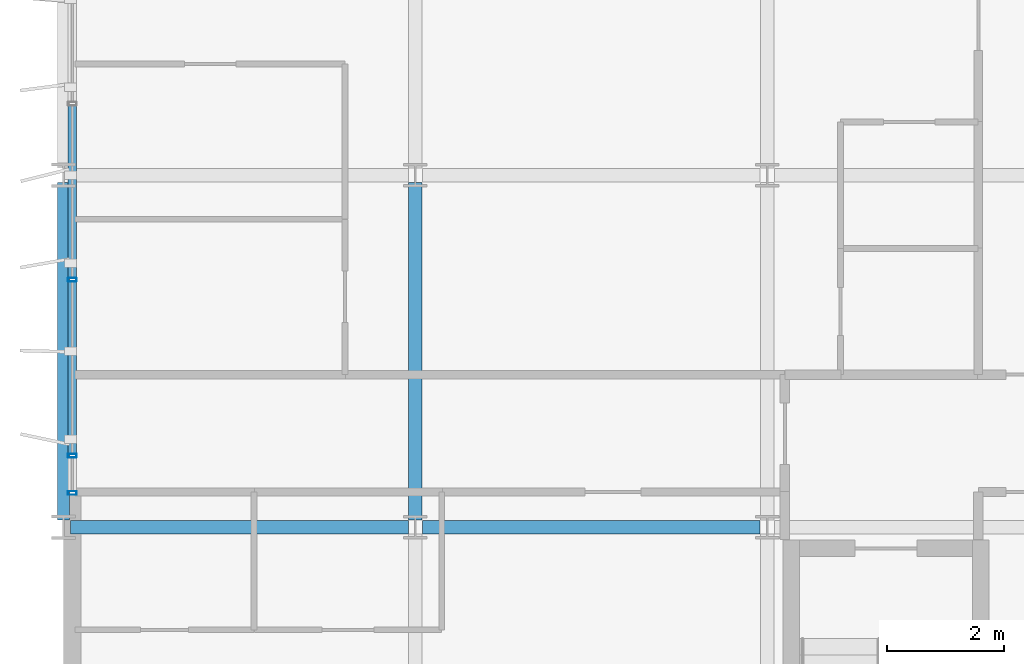
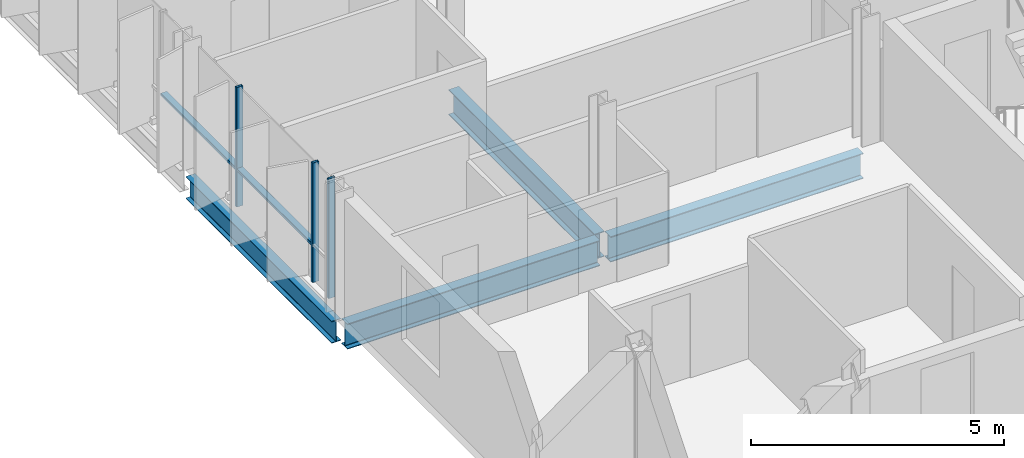
# One storey, part 4 of 38: 5 members, 4 beams, 1 element without a shape of its own.
"""IFC4 building model written with IfcOpenShell, lengths in metres."""

from ifc_helpers import new_model, si_unit, direction, frame, origin, origin_2d, place, context, subcontext, project, spatial, hollow_rectangle, i_section, extrude, material, layer, layer_set, material_profile, profile_set, type_object, element, aggregate, save


model = new_model("IFC4")

# Units and contexts
model_context = context("Model", 3, precision=1e-05, world=origin(), true_north=direction((0.0, 1.0)))
body_context = subcontext(model_context, "Body", "Model", "MODEL_VIEW")
ifc_project = project(units=[si_unit("LENGTHUNIT", "METRE"), si_unit("AREAUNIT", "SQUARE_METRE"), si_unit("VOLUMEUNIT", "CUBIC_METRE"), si_unit("PLANEANGLEUNIT", "RADIAN"), si_unit("MASSUNIT", "GRAM", prefix="KILO")], contexts=[model_context])

# Site, building, storey
site_placement = place(None, origin())
site = spatial("IfcSite", under=ifc_project, at=site_placement, CompositionType="ELEMENT")
building_placement = place(site_placement, origin())
building = spatial("IfcBuilding", under=site, at=building_placement, Name="Brevholm Reach", CompositionType="ELEMENT")
storey_placement = place(building_placement, frame((0.0, 0.0, 141.800048828125)))
storey = spatial("IfcBuildingStorey", under=building, at=storey_placement, Name="L42", CompositionType="ELEMENT", Elevation=141.800048828125)

# Beams
ifc_material_1 = material(Name="Structural Steel S355J2", Category="steel")
ifc_material_profile_1 = material_profile(ifc_material_1, i_section(OverallWidth=0.209228515625, OverallDepth=0.533203125, WebThickness=0.010009765625, FlangeThickness=0.015625, FilletRadius=0.0126953125, at=origin_2d()), Name="UKB 533x210x92")
ifc_profile_set_1 = profile_set([ifc_material_profile_1], Name="Structural Steel S355J2")
beam_type_1 = type_object("IfcBeamType", Name="BM-SP533", PredefinedType="SPANDREL", material=ifc_profile_set_1)
beam_placement = place(storey_placement, frame((0.0, 10.1201171875, -0.486572265625), z_axis=(0.0, 1.0, 0.0), x_axis=(-1.0, 0.0, 0.0)))
element("IfcBeam", 1, at=beam_placement, inside=storey, type_object=beam_type_1, Name="L42 SP-02 Framing Beam", PredefinedType="SPANDREL", context=body_context, shape_type="SweptSolid", body=[
    extrude(i_section(OverallWidth=0.209228515625, OverallDepth=0.533203125, WebThickness=0.010009765625, FlangeThickness=0.015625, FilletRadius=0.0126953125, at=origin_2d()), origin(), (0.0, 0.0, 1.0), 5.759765625),
])
ifc_material_2 = material(Name="Structural Steel S355J2", Category="steel")
ifc_material_profile_2 = material_profile(ifc_material_2, i_section(OverallWidth=0.22900390625, OverallDepth=0.6123046875, WebThickness=0.011962890625, FlangeThickness=0.01953125, FilletRadius=0.0126953125, at=origin_2d()), Name="UKB 610x229x125")
ifc_profile_set_2 = profile_set([ifc_material_profile_2], Name="Structural Steel S355J2")
beam_type_2 = type_object("IfcBeamType", Name="BM-SP610", PredefinedType="SPANDREL", material=ifc_profile_set_2)
for number, where, z_axis, x_axis, name in (
    (2, (0.1201171875, 10.0, -0.526123046875), (1.0, 0.0, 0.0), (0.0, 1.0, 0.0), "L42 SP-01 Framing Beam"),
    (3, (6.1201171875, 10.0, -0.526123046875), (1.0, 0.0, 0.0), (0.0, 1.0, 0.0), "L42 SP-01 Framing Beam"),
    (4, (6.0, 10.1201171875, -0.526123046875), (0.0, 1.0, 0.0), (-1.0, 0.0, 0.0), "L42 SP-01 Framing Beam"),
):
    element("IfcBeam", number, at=place(storey_placement, frame(where, z_axis=z_axis, x_axis=x_axis)), inside=storey, type_object=beam_type_2, Name=name, PredefinedType="SPANDREL", context=body_context, shape_type="SweptSolid", body=[
        extrude(i_section(OverallWidth=0.22900390625, OverallDepth=0.6123046875, WebThickness=0.011962890625, FlangeThickness=0.01953125, FilletRadius=0.0126953125, at=origin_2d()), origin(), (0.0, 0.0, 1.0), 5.759765625),
    ])

# Curtain wall, members
ifc_material_3 = material(Name="Dark Anodised Aluminium 6063-T6 and Solar-Control Glass", Category="aluminium")
ifc_layer = layer(ifc_material_3, 0.14990234375)
ifc_layer_set = layer_set([ifc_layer], Name="Dark Anodised Aluminium 6063-T6 and Solar-Control Glass")
curtain_wall_type = type_object("IfcCurtainWallType", Name="CW-01", PredefinedType="NOTDEFINED", material=ifc_layer_set)
curtain_wall_placement = place(storey_placement, origin())
curtain_wall = element("IfcCurtainWall", 5, at=curtain_wall_placement, inside=storey, type_object=curtain_wall_type, Name="L42 Curtain Wall CW-01", PredefinedType="NOTDEFINED")
ifc_material_4 = material(Name="Dark Anodised Aluminium 6063-T6", Category="aluminium")
ifc_material_profile_3 = material_profile(ifc_material_4, hollow_rectangle(XDim=0.06494140625, YDim=0.14990234375, WallThickness=0.0048828125, InnerFilletRadius=0.0048828125, OuterFilletRadius=0.010009765625, at=origin_2d()), Name="RHS 150x65x5")
ifc_profile_set_3 = profile_set([ifc_material_profile_3], Name="Dark Anodised Aluminium 6063-T6")
member_type_1 = type_object("IfcMemberType", Name="CWM-150", PredefinedType="MULLION", material=ifc_profile_set_3)
member_1_placement = place(storey_placement, frame((0.14990234375, 14.219970703125, 0.0), z_axis=(0.0, 0.0, 1.0), x_axis=(0.0, -1.0, 0.0)))
member_1 = element("IfcMember", 6, at=member_1_placement, type_object=member_type_1, Name="CM-150 Mullion 4", PredefinedType="MULLION", context=body_context, shape_type="SweptSolid", body=[
    extrude(hollow_rectangle(XDim=0.06494140625, YDim=0.14990234375, WallThickness=0.0048828125, InnerFilletRadius=0.0048828125, OuterFilletRadius=0.010009765625, at=origin_2d()), origin(), (0.0, 0.0, 1.0), 2.8798828125),
])
member_2_placement = place(storey_placement, frame((0.14990234375, 11.219970703125, 0.0), z_axis=(0.0, 0.0, 1.0), x_axis=(0.0, -1.0, 0.0)))
member_2 = element("IfcMember", 7, at=member_2_placement, type_object=member_type_1, Name="CM-150 Mullion 5", PredefinedType="MULLION", context=body_context, shape_type="SweptSolid", body=[
    extrude(hollow_rectangle(XDim=0.06494140625, YDim=0.14990234375, WallThickness=0.0048828125, InnerFilletRadius=0.0048828125, OuterFilletRadius=0.010009765625, at=origin_2d()), origin(), (0.0, 0.0, 1.0), 2.8798828125),
])
member_3_placement = place(storey_placement, frame((0.14990234375, 10.58251953125, 0.0), z_axis=(0.0, 0.0, 1.0), x_axis=(0.0, -1.0, 0.0)))
member_3 = element("IfcMember", 8, at=member_3_placement, type_object=member_type_1, Name="CM-150 Mullion 6", PredefinedType="MULLION", context=body_context, shape_type="SweptSolid", body=[
    extrude(hollow_rectangle(XDim=0.06494140625, YDim=0.14990234375, WallThickness=0.0048828125, InnerFilletRadius=0.0048828125, OuterFilletRadius=0.010009765625, at=origin_2d()), origin(), (0.0, 0.0, 1.0), 2.8798828125),
])
ifc_material_5 = material(Name="Dark Anodised Aluminium 6063-T6", Category="aluminium")
ifc_material_profile_4 = material_profile(ifc_material_5, hollow_rectangle(XDim=0.06494140625, YDim=0.14990234375, WallThickness=0.0048828125, InnerFilletRadius=0.0048828125, OuterFilletRadius=0.010009765625, at=origin_2d()), Name="RHS 150x65x5")
ifc_profile_set_4 = profile_set([ifc_material_profile_4], Name="Dark Anodised Aluminium 6063-T6")
member_type_2 = type_object("IfcMemberType", Name="CWT-150", PredefinedType="NOTDEFINED", material=ifc_profile_set_4)
member_4_placement = place(storey_placement, frame((0.14990234375, 17.1875, 0.89990234375), z_axis=(0.0, -1.0, 0.0), x_axis=(0.0, 0.0, 1.0)))
member_4 = element("IfcMember", 9, at=member_4_placement, type_object=member_type_2, Name="CT-150 Transom 3.1", ObjectType="TRANSOM", PredefinedType="USERDEFINED", context=body_context, shape_type="SweptSolid", body=[
    extrude(hollow_rectangle(XDim=0.06494140625, YDim=0.14990234375, WallThickness=0.0048828125, InnerFilletRadius=0.0048828125, OuterFilletRadius=0.010009765625, at=origin_2d()), origin(), (0.0, 0.0, 1.0), 2.93505859375),
])
member_5_placement = place(storey_placement, frame((0.14990234375, 14.1875, 0.89990234375), z_axis=(0.0, -1.0, 0.0), x_axis=(0.0, 0.0, 1.0)))
member_5 = element("IfcMember", 10, at=member_5_placement, type_object=member_type_2, Name="CT-150 Transom 4.1", ObjectType="TRANSOM", PredefinedType="USERDEFINED", context=body_context, shape_type="SweptSolid", body=[
    extrude(hollow_rectangle(XDim=0.06494140625, YDim=0.14990234375, WallThickness=0.0048828125, InnerFilletRadius=0.0048828125, OuterFilletRadius=0.010009765625, at=origin_2d()), origin(), (0.0, 0.0, 1.0), 2.93505859375),
])
aggregate(curtain_wall, [member_1, member_2, member_3, member_4, member_5])

save(model, "model.ifc")
